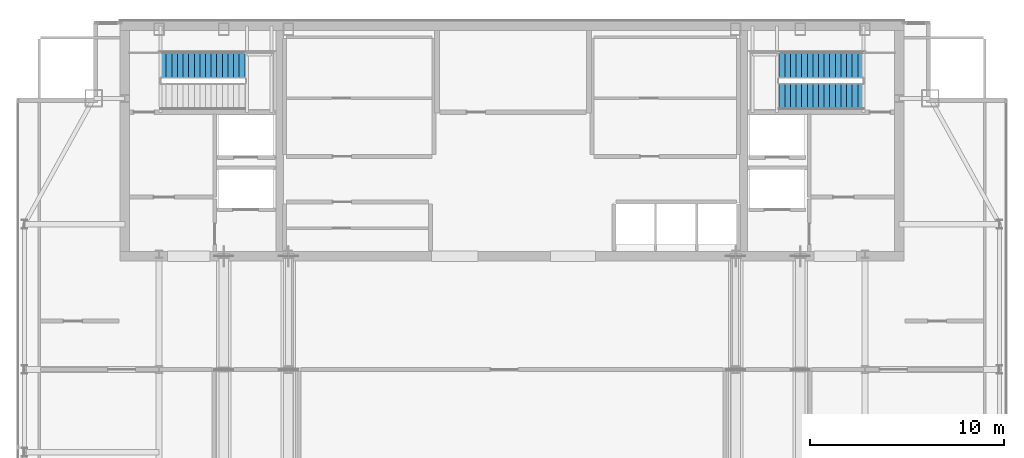
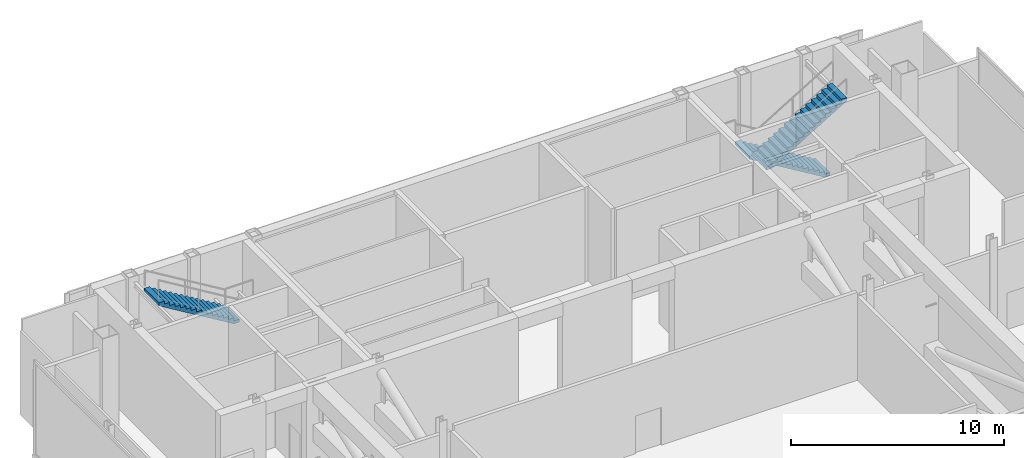
# One storey, part 25 of 26: 3 stair flights, 2 elements without a shape of their own.
"""IFC4 building model written with IfcOpenShell, lengths in metres."""

from ifc_helpers import new_model, si_unit, direction, frame, origin, place, context, subcontext, project, spatial, polyline, outline, extrude, material, type_object, element, aggregate, save


model = new_model("IFC4")

# Units and contexts
model_context = context("Model", 3, precision=1e-05, world=origin(), true_north=direction((0.0, 1.0)))
body_context = subcontext(model_context, "Body", "Model", "MODEL_VIEW")
ifc_project = project(units=[si_unit("LENGTHUNIT", "METRE"), si_unit("AREAUNIT", "SQUARE_METRE"), si_unit("VOLUMEUNIT", "CUBIC_METRE"), si_unit("PLANEANGLEUNIT", "RADIAN"), si_unit("MASSUNIT", "GRAM", prefix="KILO")], contexts=[model_context])

# Site, building, storey
site_placement = place(None, origin())
site = spatial("IfcSite", under=ifc_project, at=site_placement, CompositionType="ELEMENT")
building_placement = place(site_placement, origin())
building = spatial("IfcBuilding", under=site, at=building_placement, Name="Khoronbel Lancet Exchange", CompositionType="ELEMENT")
storey_placement = place(building_placement, frame((0.0, 0.0, 350.60009765625)))
storey = spatial("IfcBuildingStorey", under=building, at=storey_placement, Name="L91", CompositionType="ELEMENT", Elevation=350.60009765625)

# Stair, stair flight
ifc_material = material(Name="Concrete C40/50", Category="concrete")
stair_type = type_object("IfcStairType", Name="STR-CRN135", PredefinedType="HALF_TURN_STAIR", material=ifc_material)
stair_1_placement = place(storey_placement, origin())
stair_1 = element("IfcStair", 1, at=stair_1_placement, inside=storey, type_object=stair_type, Name="L91 Protected Exit Stair ST1", PredefinedType="HALF_TURN_STAIR")
stair_flight_type = type_object("IfcStairFlightType", Name="STF-135", PredefinedType="STRAIGHT", material=ifc_material)
stair_flight_1_placement = place(storey_placement, frame((22.64990234375, 51.409912109375, 2.7998046875), z_axis=(0.0, 0.0, 1.0), x_axis=(-1.0, 0.0, 0.0)))
stair_flight_1 = element("IfcStairFlight", 2, at=stair_flight_1_placement, type_object=stair_flight_type, Name="ST1 flight 2", NumberOfRisers=16, NumberOfTreads=15, PredefinedType="STRAIGHT", RiserHeight=0.175, TreadLength=0.29, context=body_context, shape_type="SweptSolid", body=[
    extrude(outline(polyline([(0.0, 0.0), (0.0, 0.175048828125), (0.2900390625, 0.175048828125), (0.2900390625, 0.35009765625), (0.580078125, 0.35009765625), (0.580078125, 0.52490234375), (0.8701171875, 0.52490234375), (0.8701171875, 0.699951171875), (1.159912109375, 0.699951171875), (1.159912109375, 0.875), (1.449951171875, 0.875), (1.449951171875, 1.050048828125), (1.739990234375, 1.050048828125), (1.739990234375, 1.22509765625), (2.030029296875, 1.22509765625), (2.030029296875, 1.39990234375), (2.320068359375, 1.39990234375), (2.320068359375, 1.574951171875), (2.610107421875, 1.574951171875), (2.610107421875, 1.75), (2.89990234375, 1.75), (2.89990234375, 1.925048828125), (3.18994140625, 1.925048828125), (3.18994140625, 2.10009765625), (3.47998046875, 2.10009765625), (3.47998046875, 2.27490234375), (3.77001953125, 2.27490234375), (3.77001953125, 2.449951171875), (4.06005859375, 2.449951171875), (4.06005859375, 2.625), (4.35009765625, 2.625), (4.35009765625, 2.800048828125), (4.35009765625, 2.449951171875), (0.2900390625, 0.0), (0.0, 0.0)])), frame((0.0, 0.68994140625, 0.0), z_axis=(0.0, -1.0, 0.0), x_axis=(1.0, 0.0, 0.0)), (0.0, 0.0, 1.0), 1.3798828125),
])
aggregate(stair_1, [stair_flight_1])

# Stair, stair flights
stair_2_placement = place(storey_placement, origin())
stair_2 = element("IfcStair", 3, at=stair_2_placement, inside=storey, type_object=stair_type, Name="L91 Protected Exit Stair ST2", PredefinedType="HALF_TURN_STAIR")
stair_flight_2_placement = place(storey_placement, frame((54.60009765625, 51.409912109375, 0.0), z_axis=(0.0, 0.0, 1.0), x_axis=(-1.0, 0.0, 0.0)))
stair_flight_2 = element("IfcStairFlight", 4, at=stair_flight_2_placement, type_object=stair_flight_type, Name="ST2 flight 1", NumberOfRisers=16, NumberOfTreads=15, PredefinedType="STRAIGHT", RiserHeight=0.175, TreadLength=0.29, context=body_context, shape_type="SweptSolid", body=[
    extrude(outline(polyline([(0.0, 0.0), (0.0, 0.175048828125), (0.2900390625, 0.175048828125), (0.2900390625, 0.35009765625), (0.580078125, 0.35009765625), (0.580078125, 0.52490234375), (0.8701171875, 0.52490234375), (0.8701171875, 0.699951171875), (1.159912109375, 0.699951171875), (1.159912109375, 0.875), (1.449951171875, 0.875), (1.449951171875, 1.050048828125), (1.739990234375, 1.050048828125), (1.739990234375, 1.22509765625), (2.030029296875, 1.22509765625), (2.030029296875, 1.39990234375), (2.320068359375, 1.39990234375), (2.320068359375, 1.574951171875), (2.610107421875, 1.574951171875), (2.610107421875, 1.75), (2.89990234375, 1.75), (2.89990234375, 1.925048828125), (3.18994140625, 1.925048828125), (3.18994140625, 2.10009765625), (3.47998046875, 2.10009765625), (3.47998046875, 2.27490234375), (3.77001953125, 2.27490234375), (3.77001953125, 2.449951171875), (4.06005859375, 2.449951171875), (4.06005859375, 2.625), (4.35009765625, 2.625), (4.35009765625, 2.800048828125), (4.35009765625, 2.449951171875), (0.2900390625, 0.0), (0.0, 0.0)])), frame((0.0, 0.68994140625, 0.0), z_axis=(0.0, -1.0, 0.0), x_axis=(1.0, 0.0, 0.0)), (0.0, 0.0, 1.0), 1.3798828125),
])
stair_flight_3_placement = place(storey_placement, frame((50.25, 49.81005859375, 2.7998046875), z_axis=(0.0, 0.0, 1.0), x_axis=(1.0, 0.0, 0.0)))
stair_flight_3 = element("IfcStairFlight", 5, at=stair_flight_3_placement, type_object=stair_flight_type, Name="ST2 flight 2", NumberOfRisers=16, NumberOfTreads=15, PredefinedType="STRAIGHT", RiserHeight=0.175, TreadLength=0.29, context=body_context, shape_type="SweptSolid", body=[
    extrude(outline(polyline([(0.0, 0.0), (0.0, 0.175048828125), (0.2900390625, 0.175048828125), (0.2900390625, 0.35009765625), (0.580078125, 0.35009765625), (0.580078125, 0.52490234375), (0.8701171875, 0.52490234375), (0.8701171875, 0.699951171875), (1.159912109375, 0.699951171875), (1.159912109375, 0.875), (1.449951171875, 0.875), (1.449951171875, 1.050048828125), (1.739990234375, 1.050048828125), (1.739990234375, 1.22509765625), (2.030029296875, 1.22509765625), (2.030029296875, 1.39990234375), (2.320068359375, 1.39990234375), (2.320068359375, 1.574951171875), (2.610107421875, 1.574951171875), (2.610107421875, 1.75), (2.89990234375, 1.75), (2.89990234375, 1.925048828125), (3.18994140625, 1.925048828125), (3.18994140625, 2.10009765625), (3.47998046875, 2.10009765625), (3.47998046875, 2.27490234375), (3.77001953125, 2.27490234375), (3.77001953125, 2.449951171875), (4.06005859375, 2.449951171875), (4.06005859375, 2.625), (4.35009765625, 2.625), (4.35009765625, 2.800048828125), (4.35009765625, 2.449951171875), (0.2900390625, 0.0), (0.0, 0.0)])), frame((0.0, 0.68994140625, 0.0), z_axis=(0.0, -1.0, 0.0), x_axis=(1.0, 0.0, 0.0)), (0.0, 0.0, 1.0), 1.3798828125),
])
aggregate(stair_2, [stair_flight_2, stair_flight_3])

save(model, "model.ifc")
